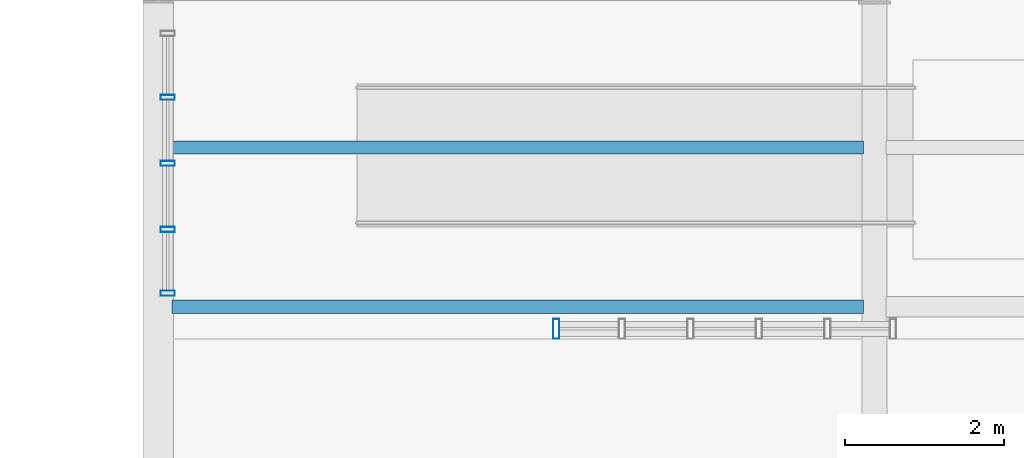
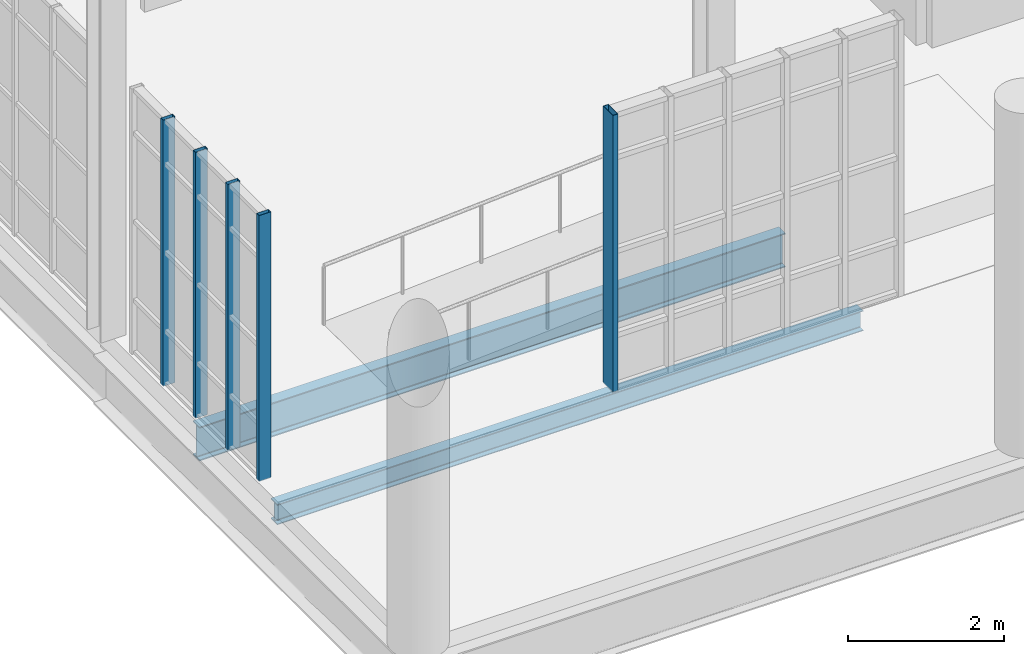
# One storey, part 47 of 189: 5 members, 2 beams, 2 elements without a shape of their own.
"""IFC4 building model written with IfcOpenShell, lengths in metres."""

from ifc_helpers import new_model, si_unit, direction, frame, origin, origin_2d, place, context, subcontext, project, spatial, hollow_rectangle, i_section, extrude, material, layer, layer_set, material_profile, profile_set, type_object, element, aggregate, save


model = new_model("IFC4")

# Units and contexts
model_context = context("Model", 3, precision=1e-05, world=origin(), true_north=direction((0.0, 1.0)))
body_context = subcontext(model_context, "Body", "Model", "MODEL_VIEW")
ifc_project = project(units=[si_unit("LENGTHUNIT", "METRE"), si_unit("AREAUNIT", "SQUARE_METRE"), si_unit("VOLUMEUNIT", "CUBIC_METRE"), si_unit("PLANEANGLEUNIT", "RADIAN"), si_unit("MASSUNIT", "GRAM", prefix="KILO"), si_unit("THERMODYNAMICTEMPERATUREUNIT", "KELVIN"), si_unit("POWERUNIT", "WATT")], contexts=[model_context])

# Site, building, storey
site_placement = place(None, origin())
site = spatial("IfcSite", under=ifc_project, at=site_placement, CompositionType="ELEMENT")
building_placement = place(site_placement, origin())
building = spatial("IfcBuilding", under=site, at=building_placement, Name="Zelmaris Science Centre", CompositionType="ELEMENT")
storey_placement = place(building_placement, origin())
storey = spatial("IfcBuildingStorey", under=building, at=storey_placement, Name="L00", CompositionType="ELEMENT", Elevation=0.0)

# Curtain wall, members
ifc_material_1 = material(Name="Anodised architectural aluminium 6063-T6", Category="aluminium")
ifc_layer_1 = layer(ifc_material_1, 0.2099609375, Name="Anodised architectural aluminium 6063-T6")
ifc_layer_set_1 = layer_set([ifc_layer_1], Name="Anodised architectural aluminium 6063-T6")
curtain_wall_type_1 = type_object("IfcCurtainWallType", Name="Curtain Wall CW-03", PredefinedType="USERDEFINED", material=ifc_layer_set_1)
curtain_wall_1_placement = place(storey_placement, origin())
curtain_wall_1 = element("IfcCurtainWall", 1, at=curtain_wall_1_placement, inside=storey, type_object=curtain_wall_type_1, Name="L00 Unitised curtain wall 111", ObjectType="GLAZED CURTAIN WALL", PredefinedType="USERDEFINED")
ifc_material_profile_1 = material_profile(ifc_material_1, hollow_rectangle(XDim=0.06494140625, YDim=0.179931640625, WallThickness=0.00390625, at=origin_2d()), Name="ALU-MUL-65X180")
ifc_profile_set_1 = profile_set([ifc_material_profile_1], Name="Anodised architectural aluminium 6063-T6")
member_type_1 = type_object("IfcMemberType", Name="ALU-MUL-65X180", PredefinedType="MULLION", material=ifc_profile_set_1)
member_1_placement = place(storey_placement, frame((108.1201171875, 12.168701171875, -0.014892578125), z_axis=(0.0, 0.0, 1.0), x_axis=(-6.981317e-06, 0.999999999976, 0.0)))
member_1 = element("IfcMember", 2, at=member_1_placement, type_object=member_type_1, Name="CW-03 mullion 1", PredefinedType="MULLION", context=body_context, shape_type="SweptSolid", body=[
    extrude(hollow_rectangle(XDim=0.06494140625, YDim=0.179931640625, WallThickness=0.00390625, at=origin_2d()), origin(), (0.0, 0.0, 1.0), 4.16796875),
])
member_2_placement = place(storey_placement, frame((108.1201171875, 12.969970703125, -0.014892578125), z_axis=(0.0, 0.0, 1.0), x_axis=(-6.981317e-06, 0.999999999976, 0.0)))
member_2 = element("IfcMember", 3, at=member_2_placement, type_object=member_type_1, Name="CW-03 mullion 2", PredefinedType="MULLION", context=body_context, shape_type="SweptSolid", body=[
    extrude(hollow_rectangle(XDim=0.06494140625, YDim=0.179931640625, WallThickness=0.00390625, at=origin_2d()), origin(), (0.0, 0.0, 1.0), 4.16796875),
])
member_3_placement = place(storey_placement, frame((108.1201171875, 13.800048828125, -0.014892578125), z_axis=(0.0, 0.0, 1.0), x_axis=(-6.981317e-06, 0.999999999976, 0.0)))
member_3 = element("IfcMember", 4, at=member_3_placement, type_object=member_type_1, Name="CW-03 mullion 3", PredefinedType="MULLION", context=body_context, shape_type="SweptSolid", body=[
    extrude(hollow_rectangle(XDim=0.06494140625, YDim=0.179931640625, WallThickness=0.00390625, at=origin_2d()), origin(), (0.0, 0.0, 1.0), 4.16796875),
])
member_4_placement = place(storey_placement, frame((108.1201171875, 14.630126953125, -0.014892578125), z_axis=(0.0, 0.0, 1.0), x_axis=(-6.981317e-06, 0.999999999976, 0.0)))
member_4 = element("IfcMember", 5, at=member_4_placement, type_object=member_type_1, Name="CW-03 mullion 4", PredefinedType="MULLION", context=body_context, shape_type="SweptSolid", body=[
    extrude(hollow_rectangle(XDim=0.06494140625, YDim=0.179931640625, WallThickness=0.00390625, at=origin_2d()), origin(), (0.0, 0.0, 1.0), 4.16796875),
])
aggregate(curtain_wall_1, [member_1, member_2, member_3, member_4])

# Curtain wall, member
ifc_layer_2 = layer(ifc_material_1, 0.18994140625, Name="Anodised architectural aluminium 6063-T6")
ifc_layer_set_2 = layer_set([ifc_layer_2], Name="Anodised architectural aluminium 6063-T6")
curtain_wall_type_2 = type_object("IfcCurtainWallType", Name="Curtain Wall CW-01", PredefinedType="USERDEFINED", material=ifc_layer_set_2)
curtain_wall_2_placement = place(storey_placement, origin())
curtain_wall_2 = element("IfcCurtainWall", 6, at=curtain_wall_2_placement, inside=storey, type_object=curtain_wall_type_2, Name="L00 Unitised curtain wall 109", ObjectType="GLAZED CURTAIN WALL", PredefinedType="USERDEFINED")
ifc_material_profile_2 = material_profile(ifc_material_1, hollow_rectangle(XDim=0.080078125, YDim=0.25, WallThickness=0.0048828125, at=origin_2d()), Name="ALU-MUL-80X250")
ifc_profile_set_2 = profile_set([ifc_material_profile_2], Name="Anodised architectural aluminium 6063-T6")
member_type_2 = type_object("IfcMemberType", Name="ALU-MUL-80X250", PredefinedType="MULLION", material=ifc_profile_set_2)
member_5_placement = place(storey_placement, frame((112.999755859375, 11.72021484375, -0.014892578125), z_axis=(0.0, 0.0, 1.0), x_axis=(-1.0, 0.0, 0.0)))
member_5 = element("IfcMember", 7, at=member_5_placement, type_object=member_type_2, Name="CW-01 mullion 6", PredefinedType="MULLION", context=body_context, shape_type="SweptSolid", body=[
    extrude(hollow_rectangle(XDim=0.080078125, YDim=0.25, WallThickness=0.0048828125, at=origin_2d()), origin(), (0.0, 0.0, 1.0), 4.337890625),
])
aggregate(curtain_wall_2, [member_5])

# Beams
ifc_material_2 = material(Name="Steel ASTM A992 Grade 50", Category="steel")
ifc_material_profile_3 = material_profile(ifc_material_2, i_section(OverallWidth=0.16796875, OverallDepth=0.532958984375, WebThickness=0.01025390625, FlangeThickness=0.0166015625, FilletRadius=0.013916015625, at=origin_2d()), Name="W21X57")
ifc_profile_set_3 = profile_set([ifc_material_profile_3], Name="Steel ASTM A992 Grade 50")
beam_type_1 = type_object("IfcBeamType", Name="Beam J-01 W21X57", PredefinedType="JOIST", material=ifc_profile_set_3)
beam_1_placement = place(storey_placement, frame((108.175537109375, 14.0, -0.556396484375), z_axis=(1.0, 0.0, 0.0), x_axis=(0.0, 1.0, 0.0)))
element("IfcBeam", 8, at=beam_1_placement, inside=storey, type_object=beam_type_1, Name="L00 Composite floor joist 72", PredefinedType="JOIST", context=body_context, shape_type="SweptSolid", body=[
    extrude(i_section(OverallWidth=0.16796875, OverallDepth=0.532958984375, WebThickness=0.01025390625, FlangeThickness=0.0166015625, FilletRadius=0.013916015625, at=origin_2d()), origin(), (0.0, 0.0, 1.0), 8.683349609375),
])
ifc_material_profile_4 = material_profile(ifc_material_2, i_section(OverallWidth=0.1669921875, OverallDepth=0.318115234375, WebThickness=0.007568359375, FlangeThickness=0.01318359375, FilletRadius=0.011962890625, at=origin_2d()), Name="W12X35")
ifc_profile_set_4 = profile_set([ifc_material_profile_4], Name="Steel ASTM A992 Grade 50")
beam_type_2 = type_object("IfcBeamType", Name="Beam J-09 W12X35", PredefinedType="JOIST", material=ifc_profile_set_4)
beam_2_placement = place(storey_placement, frame((108.175537109375, 12.0, -0.448974609375), z_axis=(1.0, 0.0, 0.0), x_axis=(0.0, 1.0, 0.0)))
element("IfcBeam", 9, at=beam_2_placement, inside=storey, type_object=beam_type_2, Name="L00 Composite floor joist 71", PredefinedType="JOIST", context=body_context, shape_type="SweptSolid", body=[
    extrude(i_section(OverallWidth=0.1669921875, OverallDepth=0.318115234375, WebThickness=0.007568359375, FlangeThickness=0.01318359375, FilletRadius=0.011962890625, at=origin_2d()), origin(), (0.0, 0.0, 1.0), 8.683349609375),
])

save(model, "model.ifc")
